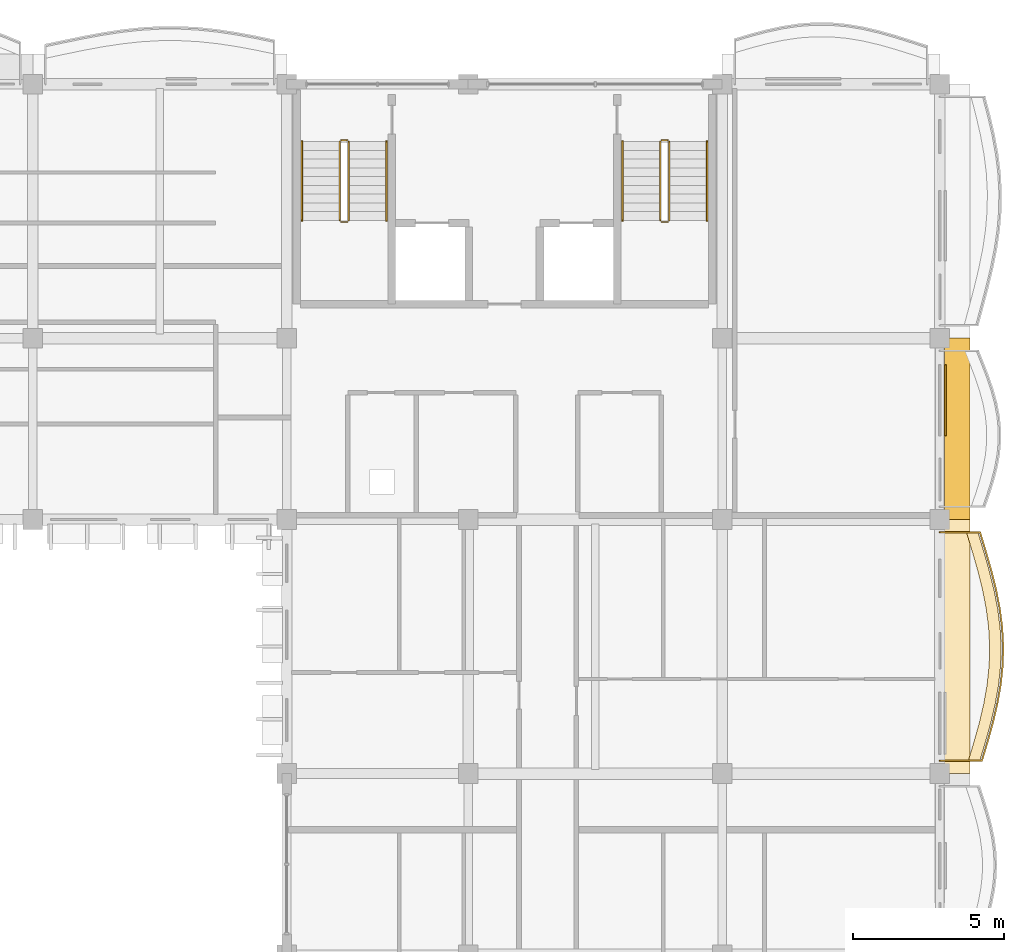
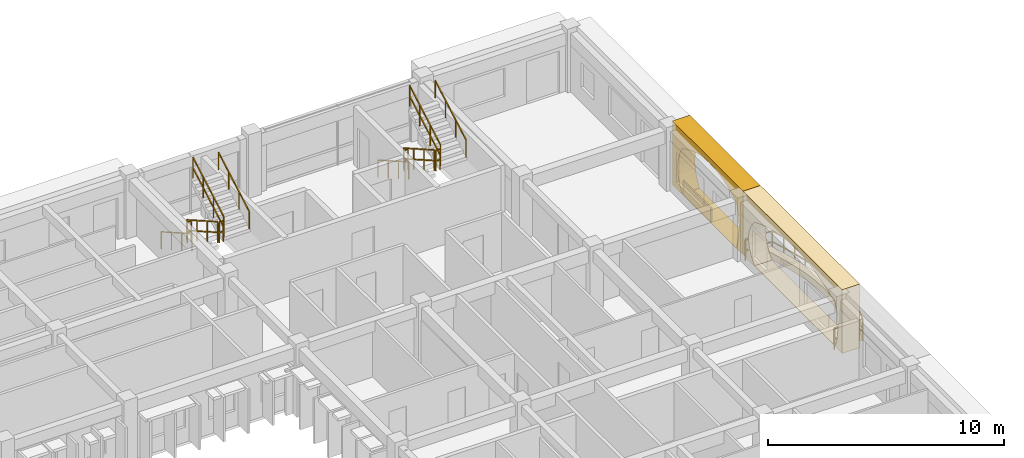
# One storey, part 74 of 76: 13 railings, 4 coverings.
"""IFC4 building model written with IfcOpenShell, lengths in metres."""

from ifc_helpers import new_model, si_unit, direction, frame, origin, origin_2d, place, context, subcontext, project, spatial, polyline, rectangle, outline, extrude, material, layer, layer_set, type_object, element, save


model = new_model("IFC4")

# Units and contexts
model_context = context("Model", 3, precision=1e-05, world=origin(), true_north=direction((0.0, 1.0)))
body_context = subcontext(model_context, "Body", "Model", "MODEL_VIEW")
ifc_project = project(units=[si_unit("LENGTHUNIT", "METRE"), si_unit("AREAUNIT", "SQUARE_METRE"), si_unit("VOLUMEUNIT", "CUBIC_METRE"), si_unit("PLANEANGLEUNIT", "RADIAN"), si_unit("MASSUNIT", "GRAM", prefix="KILO"), si_unit("THERMODYNAMICTEMPERATUREUNIT", "KELVIN")], contexts=[model_context])

# Site, building, storey
site_placement = place(None, origin())
site = spatial("IfcSite", under=ifc_project, at=site_placement, CompositionType="ELEMENT")
building_placement = place(site_placement, origin())
building = spatial("IfcBuilding", under=site, at=building_placement, Name="Thalorik Housing Commons", CompositionType="ELEMENT")
storey_placement = place(building_placement, frame((0.0, 0.0, 18.0)))
storey = spatial("IfcBuildingStorey", under=building, at=storey_placement, Name="L05", CompositionType="ELEMENT", Elevation=18.0)

# Coverings
ifc_material_1 = material(Name="Cobalt blue glazed ceramic facade tile panel", Category="masonry")
ifc_layer_1 = layer(ifc_material_1, 0.06005859375, Name="Cobalt blue glazed ceramic facade tile panel", Category="masonry")
ifc_layer_set_1 = layer_set([ifc_layer_1], Name="Cobalt blue glazed ceramic facade tile panel")
covering_type_1 = type_object("IfcCoveringType", Name="ARC-CLD-BLU-60", PredefinedType="CLADDING", material=ifc_layer_set_1)
covering_1_placement = place(storey_placement, frame((174.179931640625, 113.139892578125, 0.0498046875), z_axis=(0.0, 0.0, 1.0), x_axis=(0.0, 1.0, 0.0)))
element("IfcCovering", 1, at=covering_1_placement, inside=storey, type_object=covering_type_1, Name="L05 De Stijl Recessed Window Spandrel 2203", PredefinedType="CLADDING", context=body_context, shape_type="SweptSolid", body=[
    extrude(rectangle(XDim=2.35009765625, YDim=0.06005859375, at=origin_2d()), origin(), (0.0, 0.0, 1.0), 0.699951171875),
])
ifc_material_2 = material(Name="Precast concrete C40/50", Category="concrete")
ifc_layer_2 = layer(ifc_material_2, 0.85009765625, Name="Precast concrete C40/50", Category="concrete")
ifc_layer_set_2 = layer_set([ifc_layer_2], Name="Precast concrete C40/50")
covering_type_2 = type_object("IfcCoveringType", Name="ARC-CLD-CUSH-850", PredefinedType="CLADDING", material=ifc_layer_set_2)
covering_2_placement = place(storey_placement, frame((174.570068359375, 112.199951171875, 0.0), z_axis=(0.0, 0.0, 1.0), x_axis=(0.0, 1.0, 0.0)))
element("IfcCovering", 2, at=covering_2_placement, inside=storey, type_object=covering_type_2, Name="L05 White Precast Curved Cushion Bay Frame 2202", PredefinedType="CLADDING", context=body_context, shape_type="SweptSolid", body=[
    extrude(outline(polyline([(-3.0, 0.0), (3.0, 0.0), (3.0, 3.300048828125), (-3.0, 3.300048828125), (-3.0, 0.0)]), holes=[polyline([(2.1650390625, 0.02490234375), (2.37890625, 0.415771484375), (2.507080078125, 0.806640625), (2.550048828125, 1.197509765625), (2.507080078125, 1.58837890625), (2.37890625, 1.979248046875), (2.1650390625, 2.3701171875), (1.781982421875, 2.573974609375), (1.399169921875, 2.734130859375), (1.016357421875, 2.864013671875), (0.63330078125, 2.960205078125), (0.25048828125, 3.02001953125), (-0.132568359375, 3.0400390625), (-0.515380859375, 3.02001953125), (-0.898193359375, 2.960205078125), (-1.28125, 2.864013671875), (-1.664306640625, 2.734130859375), (-2.047119140625, 2.573974609375), (-2.429931640625, 2.3701171875), (-2.55029296875, 1.979248046875), (-2.62255859375, 1.58837890625), (-2.646484375, 1.197509765625), (-2.62255859375, 0.806640625), (-2.55029296875, 0.415771484375), (-2.429931640625, 0.02490234375), (2.1650390625, 0.02490234375)])]), frame((0.0, 0.425048828125, 0.0), z_axis=(0.0, -1.0, 0.0), x_axis=(1.0, 0.0, 0.0)), (0.0, 0.0, 1.0), 0.85009765625),
])
covering_3_placement = place(storey_placement, frame((174.570068359375, 105.0, 0.0), z_axis=(0.0, 0.0, 1.0), x_axis=(0.0, 1.0, 0.0)))
element("IfcCovering", 3, at=covering_3_placement, inside=storey, type_object=covering_type_2, Name="L05 White Precast Curved Cushion Bay Frame 2360", PredefinedType="CLADDING", context=body_context, shape_type="SweptSolid", body=[
    extrude(outline(polyline([(-4.199951171875, 0.0), (4.199951171875, 0.0), (4.199951171875, 3.300048828125), (-4.199951171875, 3.300048828125), (-4.199951171875, 0.0)]), holes=[polyline([(3.239990234375, 0.02490234375), (3.523193359375, 0.40087890625), (3.693359375, 0.776611328125), (3.75, 1.152587890625), (3.693359375, 1.5283203125), (3.523193359375, 1.904296875), (3.239990234375, 2.280029296875), (2.669189453125, 2.51123046875), (2.098388671875, 2.693115234375), (1.52783203125, 2.840087890625), (0.95703125, 2.94970703125), (0.38623046875, 3.01708984375), (-0.1845703125, 3.0400390625), (-0.75537109375, 3.01708984375), (-1.325927734375, 2.94970703125), (-1.896728515625, 2.840087890625), (-2.467529296875, 2.693115234375), (-3.0380859375, 2.51123046875), (-3.60888671875, 2.280029296875), (-3.73388671875, 1.904296875), (-3.80859375, 1.5283203125), (-3.83349609375, 1.152587890625), (-3.80859375, 0.776611328125), (-3.73388671875, 0.40087890625), (-3.60888671875, 0.02490234375), (3.239990234375, 0.02490234375)])]), frame((0.0, 0.425048828125, 0.0), z_axis=(0.0, -1.0, 0.0), x_axis=(1.0, 0.0, 0.0)), (0.0, 0.0, 1.0), 0.85009765625),
])
ifc_material_3 = material(Name="Planted vegetated substrate and terracotta trough", Category="masonry")
ifc_layer_3 = layer(ifc_material_3, 0.340087890625, Name="Planted vegetated substrate and terracotta trough", Category="masonry")
ifc_layer_set_3 = layer_set([ifc_layer_3], Name="Planted vegetated substrate and terracotta trough")
covering_type_3 = type_object("IfcCoveringType", Name="ARC-COV-PLANTER", PredefinedType="USERDEFINED", material=ifc_layer_set_3)
covering_4_placement = place(storey_placement, origin())
element("IfcCovering", 4, at=covering_4_placement, inside=storey, type_object=covering_type_3, Name="L05 Balcony Slab-Edge Planted Trough 5484", ObjectType="PLANTER", PredefinedType="USERDEFINED", context=body_context, shape_type="SweptSolid", body=[
    extrude(outline(polyline([(175.32080078125, 101.219970703125), (175.510009765625, 101.85009765625), (175.6845703125, 102.47998046875), (175.83251953125, 103.110107421875), (175.943115234375, 103.739990234375), (176.009033203125, 104.3701171875), (176.02587890625, 105.0), (175.992431640625, 105.6298828125), (175.910888671875, 106.260009765625), (175.787109375, 106.889892578125), (175.629638671875, 107.52001953125), (175.44970703125, 108.14990234375), (175.25927734375, 108.780029296875), (174.87939453125, 108.780029296875), (175.069580078125, 108.14990234375), (175.249755859375, 107.52001953125), (175.4072265625, 106.889892578125), (175.531005859375, 106.260009765625), (175.6123046875, 105.6298828125), (175.64599609375, 105.0), (175.629150390625, 104.3701171875), (175.56298828125, 103.739990234375), (175.452392578125, 103.110107421875), (175.3046875, 102.47998046875), (175.1298828125, 101.85009765625), (174.940673828125, 101.219970703125), (175.32080078125, 101.219970703125)])), origin(), (0.0, 0.0, 1.0), 0.340087890625),
])

# Railings
ifc_material_4 = material(Name="Steel S355", Category="steel")
railing_type_1 = type_object("IfcRailingType", Name="ARC-RL-BAL-112", PredefinedType="BALUSTRADE", material=ifc_material_4)
railing_1_placement = place(storey_placement, frame((174.0, 101.219970703125, 0.0)))
element("IfcRailing", 5, at=railing_1_placement, inside=storey, type_object=railing_type_1, Name="L05 Cushion Balcony Guardrail 168", PredefinedType="BALUSTRADE", context=body_context, shape_type="SweptSolid", body=[
    extrude(rectangle(XDim=0.050048828125, YDim=0.050048828125, at=origin_2d()), frame((0.0, 0.0, 1.09521484375), z_axis=(1.0, 0.0, 0.0), x_axis=(0.0, 1.0, 0.0)), (0.0, 0.0, 1.0), 1.390625),
    extrude(rectangle(XDim=0.050048828125, YDim=0.050048828125, at=origin_2d()), frame((0.0, 0.0, 0.53515625), z_axis=(1.0, 0.0, 0.0), x_axis=(0.0, 1.0, 0.0)), (0.0, 0.0, 1.0), 1.390625),
    extrude(rectangle(XDim=0.050048828125, YDim=0.050048828125, at=origin_2d()), frame((1.390625, 0.0, 1.09521484375), z_axis=(0.287926518313, 0.957652504853, 0.0), x_axis=(-0.957652504853, 0.287926518313, 0.0)), (0.0, 0.0, 1.0), 0.657958984375),
    extrude(rectangle(XDim=0.050048828125, YDim=0.050048828125, at=origin_2d()), frame((1.390625, 0.0, 0.53515625), z_axis=(0.287926518313, 0.957652504853, 0.0), x_axis=(-0.957652504853, 0.287926518313, 0.0)), (0.0, 0.0, 1.0), 0.657958984375),
    extrude(rectangle(XDim=0.050048828125, YDim=0.050048828125, at=origin_2d()), frame((1.580078125, 0.630126953125, 1.09521484375), z_axis=(0.267065878379, 0.963678274429, 0.0), x_axis=(-0.963678274429, 0.267065878379, 0.0)), (0.0, 0.0, 1.0), 0.653564453125),
    extrude(rectangle(XDim=0.050048828125, YDim=0.050048828125, at=origin_2d()), frame((1.580078125, 0.630126953125, 0.53515625), z_axis=(0.267065878379, 0.963678274429, 0.0), x_axis=(-0.963678274429, 0.267065878379, 0.0)), (0.0, 0.0, 1.0), 0.653564453125),
    extrude(rectangle(XDim=0.050048828125, YDim=0.050048828125, at=origin_2d()), frame((1.754638671875, 1.260009765625, 1.09521484375), z_axis=(0.228219258593, 0.973609762691, 0.0), x_axis=(-0.973609762691, 0.228219258593, 0.0)), (0.0, 0.0, 1.0), 0.647216796875),
    extrude(rectangle(XDim=0.050048828125, YDim=0.050048828125, at=origin_2d()), frame((1.754638671875, 1.260009765625, 0.53515625), z_axis=(0.228219258593, 0.973609762691, 0.0), x_axis=(-0.973609762691, 0.228219258593, 0.0)), (0.0, 0.0, 1.0), 0.647216796875),
    extrude(rectangle(XDim=0.050048828125, YDim=0.050048828125, at=origin_2d()), frame((1.90234375, 1.89013671875, 1.09521484375), z_axis=(0.173306227153, 0.984867986905, 0.0), x_axis=(-0.984867986905, 0.173306227153, 0.0)), (0.0, 0.0, 1.0), 0.6396484375),
    extrude(rectangle(XDim=0.050048828125, YDim=0.050048828125, at=origin_2d()), frame((1.90234375, 1.89013671875, 0.53515625), z_axis=(0.173306227153, 0.984867986905, 0.0), x_axis=(-0.984867986905, 0.173306227153, 0.0)), (0.0, 0.0, 1.0), 0.6396484375),
    extrude(rectangle(XDim=0.050048828125, YDim=0.050048828125, at=origin_2d()), frame((2.01318359375, 2.52001953125, 1.09521484375), z_axis=(0.104042874658, 0.994572812937, 0.0), x_axis=(-0.994572812937, 0.104042874658, 0.0)), (0.0, 0.0, 1.0), 0.633544921875),
    extrude(rectangle(XDim=0.050048828125, YDim=0.050048828125, at=origin_2d()), frame((2.01318359375, 2.52001953125, 0.53515625), z_axis=(0.104042874658, 0.994572812937, 0.0), x_axis=(-0.994572812937, 0.104042874658, 0.0)), (0.0, 0.0, 1.0), 0.633544921875),
    extrude(rectangle(XDim=0.050048828125, YDim=0.050048828125, at=origin_2d()), frame((2.0791015625, 3.150146484375, 1.09521484375), z_axis=(0.026734626765, 0.999642565986, 0.0), x_axis=(-0.999642565986, 0.026734626765, 0.0)), (0.0, 0.0, 1.0), 0.630126953125),
    extrude(rectangle(XDim=0.050048828125, YDim=0.050048828125, at=origin_2d()), frame((2.0791015625, 3.150146484375, 0.53515625), z_axis=(0.026734626765, 0.999642565986, 0.0), x_axis=(-0.999642565986, 0.026734626765, 0.0)), (0.0, 0.0, 1.0), 0.630126953125),
    extrude(rectangle(XDim=0.050048828125, YDim=0.050048828125, at=origin_2d()), frame((2.095947265625, 3.780029296875, 1.09521484375), z_axis=(-0.053026069218, 0.998593128348, 0.0), x_axis=(-0.998593128348, -0.053026069218, 0.0)), (0.0, 0.0, 1.0), 0.630859375),
    extrude(rectangle(XDim=0.050048828125, YDim=0.050048828125, at=origin_2d()), frame((2.095947265625, 3.780029296875, 0.53515625), z_axis=(-0.053026069218, 0.998593128348, 0.0), x_axis=(-0.998593128348, -0.053026069218, 0.0)), (0.0, 0.0, 1.0), 0.630859375),
    extrude(rectangle(XDim=0.050048828125, YDim=0.050048828125, at=origin_2d()), frame((2.0625, 4.409912109375, 1.09521484375), z_axis=(-0.128337087148, 0.991730604581, 0.0), x_axis=(-0.991730604581, -0.128337087148, 0.0)), (0.0, 0.0, 1.0), 0.635498046875),
    extrude(rectangle(XDim=0.050048828125, YDim=0.050048828125, at=origin_2d()), frame((2.0625, 4.409912109375, 0.53515625), z_axis=(-0.128337087148, 0.991730604581, 0.0), x_axis=(-0.991730604581, -0.128337087148, 0.0)), (0.0, 0.0, 1.0), 0.635498046875),
    extrude(rectangle(XDim=0.050048828125, YDim=0.050048828125, at=origin_2d()), frame((1.98095703125, 5.0400390625, 1.09521484375), z_axis=(-0.192823773501, 0.981233403616, 0.0), x_axis=(-0.981233403616, -0.192823773501, 0.0)), (0.0, 0.0, 1.0), 0.641845703125),
    extrude(rectangle(XDim=0.050048828125, YDim=0.050048828125, at=origin_2d()), frame((1.98095703125, 5.0400390625, 0.53515625), z_axis=(-0.192823773501, 0.981233403616, 0.0), x_axis=(-0.981233403616, -0.192823773501, 0.0)), (0.0, 0.0, 1.0), 0.641845703125),
    extrude(rectangle(XDim=0.050048828125, YDim=0.050048828125, at=origin_2d()), frame((1.857177734375, 5.669921875, 1.09521484375), z_axis=(-0.242447180005, 0.97016460712, 0.0), x_axis=(-0.97016460712, -0.242447180005, 0.0)), (0.0, 0.0, 1.0), 0.6494140625),
    extrude(rectangle(XDim=0.050048828125, YDim=0.050048828125, at=origin_2d()), frame((1.857177734375, 5.669921875, 0.53515625), z_axis=(-0.242447180005, 0.97016460712, 0.0), x_axis=(-0.97016460712, -0.242447180005, 0.0)), (0.0, 0.0, 1.0), 0.6494140625),
    extrude(rectangle(XDim=0.050048828125, YDim=0.050048828125, at=origin_2d()), frame((1.69970703125, 6.300048828125, 1.09521484375), z_axis=(-0.275016423265, 0.961439528486, 0.0), x_axis=(-0.961439528486, -0.275016423265, 0.0)), (0.0, 0.0, 1.0), 0.655029296875),
    extrude(rectangle(XDim=0.050048828125, YDim=0.050048828125, at=origin_2d()), frame((1.69970703125, 6.300048828125, 0.53515625), z_axis=(-0.275016423265, 0.961439528486, 0.0), x_axis=(-0.961439528486, -0.275016423265, 0.0)), (0.0, 0.0, 1.0), 0.655029296875),
    extrude(rectangle(XDim=0.050048828125, YDim=0.050048828125, at=origin_2d()), frame((1.51953125, 6.929931640625, 1.09521484375), z_axis=(-0.288946865814, 0.957345135642, 0.0), x_axis=(-0.957345135642, -0.288946865814, 0.0)), (0.0, 0.0, 1.0), 0.658203125),
    extrude(rectangle(XDim=0.050048828125, YDim=0.050048828125, at=origin_2d()), frame((1.51953125, 6.929931640625, 0.53515625), z_axis=(-0.288946865814, 0.957345135642, 0.0), x_axis=(-0.957345135642, -0.288946865814, 0.0)), (0.0, 0.0, 1.0), 0.658203125),
    extrude(rectangle(XDim=0.050048828125, YDim=0.050048828125, at=origin_2d()), frame((1.329345703125, 7.56005859375, 1.09521484375), z_axis=(-1.0, 0.0, 0.0), x_axis=(0.0, -1.0, 0.0)), (0.0, 0.0, 1.0), 1.329345703125),
    extrude(rectangle(XDim=0.050048828125, YDim=0.050048828125, at=origin_2d()), frame((1.329345703125, 7.56005859375, 0.53515625), z_axis=(-1.0, 0.0, 0.0), x_axis=(0.0, -1.0, 0.0)), (0.0, 0.0, 1.0), 1.329345703125),
    extrude(rectangle(XDim=0.0419921875, YDim=0.0419921875, at=origin_2d()), origin(), (0.0, 0.0, 1.0), 1.070068359375),
    extrude(rectangle(XDim=0.0419921875, YDim=0.0419921875, at=origin_2d()), frame((1.390625, 0.0, 0.0)), (0.0, 0.0, 1.0), 1.070068359375),
    extrude(rectangle(XDim=0.0419921875, YDim=0.0419921875, at=origin_2d()), frame((1.580078125, 0.630126953125, 0.0)), (0.0, 0.0, 1.0), 1.070068359375),
    extrude(rectangle(XDim=0.0419921875, YDim=0.0419921875, at=origin_2d()), frame((1.754638671875, 1.260009765625, 0.0)), (0.0, 0.0, 1.0), 1.070068359375),
    extrude(rectangle(XDim=0.0419921875, YDim=0.0419921875, at=origin_2d()), frame((1.90234375, 1.89013671875, 0.0)), (0.0, 0.0, 1.0), 1.070068359375),
    extrude(rectangle(XDim=0.0419921875, YDim=0.0419921875, at=origin_2d()), frame((2.01318359375, 2.52001953125, 0.0)), (0.0, 0.0, 1.0), 1.070068359375),
    extrude(rectangle(XDim=0.0419921875, YDim=0.0419921875, at=origin_2d()), frame((2.0791015625, 3.150146484375, 0.0)), (0.0, 0.0, 1.0), 1.070068359375),
    extrude(rectangle(XDim=0.0419921875, YDim=0.0419921875, at=origin_2d()), frame((2.095947265625, 3.780029296875, 0.0)), (0.0, 0.0, 1.0), 1.070068359375),
    extrude(rectangle(XDim=0.0419921875, YDim=0.0419921875, at=origin_2d()), frame((2.0625, 4.409912109375, 0.0)), (0.0, 0.0, 1.0), 1.070068359375),
    extrude(rectangle(XDim=0.0419921875, YDim=0.0419921875, at=origin_2d()), frame((1.98095703125, 5.0400390625, 0.0)), (0.0, 0.0, 1.0), 1.070068359375),
    extrude(rectangle(XDim=0.0419921875, YDim=0.0419921875, at=origin_2d()), frame((1.857177734375, 5.669921875, 0.0)), (0.0, 0.0, 1.0), 1.070068359375),
    extrude(rectangle(XDim=0.0419921875, YDim=0.0419921875, at=origin_2d()), frame((1.69970703125, 6.300048828125, 0.0)), (0.0, 0.0, 1.0), 1.070068359375),
    extrude(rectangle(XDim=0.0419921875, YDim=0.0419921875, at=origin_2d()), frame((1.51953125, 6.929931640625, 0.0)), (0.0, 0.0, 1.0), 1.070068359375),
    extrude(rectangle(XDim=0.0419921875, YDim=0.0419921875, at=origin_2d()), frame((1.329345703125, 7.56005859375, 0.0)), (0.0, 0.0, 1.0), 1.070068359375),
    extrude(rectangle(XDim=0.0419921875, YDim=0.0419921875, at=origin_2d()), frame((0.0, 7.56005859375, 0.0)), (0.0, 0.0, 1.0), 1.070068359375),
])
railing_type_2 = type_object("IfcRailingType", Name="ARC-RL-STR-GRD110", PredefinedType="GUARDRAIL", material=ifc_material_4)
railing_2_placement = place(storey_placement, frame((154.14990234375, 121.699951171875, 0.1650390625)))
element("IfcRailing", 6, at=railing_2_placement, inside=storey, type_object=railing_type_2, Name="L05 ST-B1 stair guard 1", PredefinedType="GUARDRAIL", context=body_context, shape_type="SweptSolid", body=[
    extrude(rectangle(XDim=0.048095703125, YDim=0.048095703125, at=origin_2d()), frame((0.0, 0.0, 1.076171875), z_axis=(0.0, -0.869172267526, 0.494509422927), x_axis=(1.0, 0.0, 0.0)), (0.0, 0.0, 1.0), 3.002685546875),
    extrude(rectangle(XDim=0.048095703125, YDim=0.048095703125, at=origin_2d()), frame((0.0, 0.0, 0.52587890625), z_axis=(0.0, -0.869172267526, 0.494509422927), x_axis=(1.0, 0.0, 0.0)), (0.0, 0.0, 1.0), 3.002685546875),
    extrude(rectangle(XDim=0.0419921875, YDim=0.0419921875, at=origin_2d()), origin(), (0.0, 0.0, 1.0), 1.052001953125),
    extrude(rectangle(XDim=0.0419921875, YDim=0.0419921875, at=origin_2d()), frame((0.0, -0.869873046875, 0.494873046875)), (0.0, 0.0, 1.0), 1.052001953125),
    extrude(rectangle(XDim=0.0419921875, YDim=0.0419921875, at=origin_2d()), frame((0.0, -1.739990234375, 0.989990234375)), (0.0, 0.0, 1.0), 1.052001953125),
    extrude(rectangle(XDim=0.0419921875, YDim=0.0419921875, at=origin_2d()), frame((0.0, -2.60986328125, 1.48486328125)), (0.0, 0.0, 1.0), 1.052001953125),
])
railing_3_placement = place(storey_placement, frame((154.199951171875, 119.0400390625, 1.64990234375)))
element("IfcRailing", 7, at=railing_3_placement, inside=storey, type_object=railing_type_2, Name="L05 ST-B1 stair guard 2", PredefinedType="GUARDRAIL", context=body_context, shape_type="SweptSolid", body=[
    extrude(rectangle(XDim=0.048095703125, YDim=0.048095703125, at=origin_2d()), frame((0.0, 0.0, 1.076171875), z_axis=(1.0, 0.0, 0.0), x_axis=(0.0, 1.0, 0.0)), (0.0, 0.0, 1.0), 0.199951171875),
    extrude(rectangle(XDim=0.048095703125, YDim=0.048095703125, at=origin_2d()), frame((0.0, 0.0, 0.52587890625), z_axis=(1.0, 0.0, 0.0), x_axis=(0.0, 1.0, 0.0)), (0.0, 0.0, 1.0), 0.199951171875),
    extrude(rectangle(XDim=0.0419921875, YDim=0.0419921875, at=origin_2d()), origin(), (0.0, 0.0, 1.0), 1.052001953125),
    extrude(rectangle(XDim=0.0419921875, YDim=0.0419921875, at=origin_2d()), frame((0.199951171875, 0.0, 0.0)), (0.0, 0.0, 1.0), 1.052001953125),
])
railing_4_placement = place(storey_placement, frame((154.449951171875, 119.090087890625, 1.81494140625)))
element("IfcRailing", 8, at=railing_4_placement, inside=storey, type_object=railing_type_2, Name="L05 ST-B1 stair guard 3", PredefinedType="GUARDRAIL", context=body_context, shape_type="SweptSolid", body=[
    extrude(rectangle(XDim=0.048095703125, YDim=0.048095703125, at=origin_2d()), frame((0.0, 0.0, 1.076171875), z_axis=(0.0, 0.869137319866, 0.494570843475), x_axis=(-1.0, 0.0, 0.0)), (0.0, 0.0, 1.0), 3.0029296875),
    extrude(rectangle(XDim=0.048095703125, YDim=0.048095703125, at=origin_2d()), frame((0.0, 0.0, 0.52587890625), z_axis=(0.0, 0.869137319866, 0.494570843475), x_axis=(-1.0, 0.0, 0.0)), (0.0, 0.0, 1.0), 3.0029296875),
    extrude(rectangle(XDim=0.0419921875, YDim=0.0419921875, at=origin_2d()), origin(), (0.0, 0.0, 1.0), 1.052001953125),
    extrude(rectangle(XDim=0.0419921875, YDim=0.0419921875, at=origin_2d()), frame((0.0, 0.869873046875, 0.4951171875)), (0.0, 0.0, 1.0), 1.052001953125),
    extrude(rectangle(XDim=0.0419921875, YDim=0.0419921875, at=origin_2d()), frame((0.0, 1.739990234375, 0.989990234375)), (0.0, 0.0, 1.0), 1.052001953125),
    extrude(rectangle(XDim=0.0419921875, YDim=0.0419921875, at=origin_2d()), frame((0.0, 2.60986328125, 1.485107421875)), (0.0, 0.0, 1.0), 1.052001953125),
])
railing_5_placement = place(storey_placement, frame((154.199951171875, 121.75, 0.0)))
element("IfcRailing", 9, at=railing_5_placement, inside=storey, type_object=railing_type_2, Name="L05 ST-B1 stair guard 4", PredefinedType="GUARDRAIL", context=body_context, shape_type="SweptSolid", body=[
    extrude(rectangle(XDim=0.048095703125, YDim=0.048095703125, at=origin_2d()), frame((0.0, 0.0, 1.076171875), z_axis=(1.0, 0.0, 0.0), x_axis=(0.0, 1.0, 0.0)), (0.0, 0.0, 1.0), 0.199951171875),
    extrude(rectangle(XDim=0.048095703125, YDim=0.048095703125, at=origin_2d()), frame((0.0, 0.0, 0.52587890625), z_axis=(1.0, 0.0, 0.0), x_axis=(0.0, 1.0, 0.0)), (0.0, 0.0, 1.0), 0.199951171875),
    extrude(rectangle(XDim=0.0419921875, YDim=0.0419921875, at=origin_2d()), origin(), (0.0, 0.0, 1.0), 1.052001953125),
    extrude(rectangle(XDim=0.0419921875, YDim=0.0419921875, at=origin_2d()), frame((0.199951171875, 0.0, 0.0)), (0.0, 0.0, 1.0), 1.052001953125),
])
railing_6_placement = place(storey_placement, frame((164.75, 121.699951171875, 0.1650390625)))
element("IfcRailing", 10, at=railing_6_placement, inside=storey, type_object=railing_type_2, Name="L05 ST-B2 stair guard 1", PredefinedType="GUARDRAIL", context=body_context, shape_type="SweptSolid", body=[
    extrude(rectangle(XDim=0.048095703125, YDim=0.048095703125, at=origin_2d()), frame((0.0, 0.0, 1.076171875), z_axis=(0.0, -0.869172267526, 0.494509422927), x_axis=(1.0, 0.0, 0.0)), (0.0, 0.0, 1.0), 3.002685546875),
    extrude(rectangle(XDim=0.048095703125, YDim=0.048095703125, at=origin_2d()), frame((0.0, 0.0, 0.52587890625), z_axis=(0.0, -0.869172267526, 0.494509422927), x_axis=(1.0, 0.0, 0.0)), (0.0, 0.0, 1.0), 3.002685546875),
    extrude(rectangle(XDim=0.0419921875, YDim=0.0419921875, at=origin_2d()), origin(), (0.0, 0.0, 1.0), 1.052001953125),
    extrude(rectangle(XDim=0.0419921875, YDim=0.0419921875, at=origin_2d()), frame((0.0, -0.869873046875, 0.494873046875)), (0.0, 0.0, 1.0), 1.052001953125),
    extrude(rectangle(XDim=0.0419921875, YDim=0.0419921875, at=origin_2d()), frame((0.0, -1.739990234375, 0.989990234375)), (0.0, 0.0, 1.0), 1.052001953125),
    extrude(rectangle(XDim=0.0419921875, YDim=0.0419921875, at=origin_2d()), frame((0.0, -2.60986328125, 1.48486328125)), (0.0, 0.0, 1.0), 1.052001953125),
])
railing_7_placement = place(storey_placement, frame((164.800048828125, 119.0400390625, 1.64990234375)))
element("IfcRailing", 11, at=railing_7_placement, inside=storey, type_object=railing_type_2, Name="L05 ST-B2 stair guard 2", PredefinedType="GUARDRAIL", context=body_context, shape_type="SweptSolid", body=[
    extrude(rectangle(XDim=0.048095703125, YDim=0.048095703125, at=origin_2d()), frame((0.0, 0.0, 1.076171875), z_axis=(1.0, 0.0, 0.0), x_axis=(0.0, 1.0, 0.0)), (0.0, 0.0, 1.0), 0.199951171875),
    extrude(rectangle(XDim=0.048095703125, YDim=0.048095703125, at=origin_2d()), frame((0.0, 0.0, 0.52587890625), z_axis=(1.0, 0.0, 0.0), x_axis=(0.0, 1.0, 0.0)), (0.0, 0.0, 1.0), 0.199951171875),
    extrude(rectangle(XDim=0.0419921875, YDim=0.0419921875, at=origin_2d()), origin(), (0.0, 0.0, 1.0), 1.052001953125),
    extrude(rectangle(XDim=0.0419921875, YDim=0.0419921875, at=origin_2d()), frame((0.199951171875, 0.0, 0.0)), (0.0, 0.0, 1.0), 1.052001953125),
])
railing_8_placement = place(storey_placement, frame((165.050048828125, 119.090087890625, 1.81494140625)))
element("IfcRailing", 12, at=railing_8_placement, inside=storey, type_object=railing_type_2, Name="L05 ST-B2 stair guard 3", PredefinedType="GUARDRAIL", context=body_context, shape_type="SweptSolid", body=[
    extrude(rectangle(XDim=0.048095703125, YDim=0.048095703125, at=origin_2d()), frame((0.0, 0.0, 1.076171875), z_axis=(0.0, 0.869137319866, 0.494570843475), x_axis=(-1.0, 0.0, 0.0)), (0.0, 0.0, 1.0), 3.0029296875),
    extrude(rectangle(XDim=0.048095703125, YDim=0.048095703125, at=origin_2d()), frame((0.0, 0.0, 0.52587890625), z_axis=(0.0, 0.869137319866, 0.494570843475), x_axis=(-1.0, 0.0, 0.0)), (0.0, 0.0, 1.0), 3.0029296875),
    extrude(rectangle(XDim=0.0419921875, YDim=0.0419921875, at=origin_2d()), origin(), (0.0, 0.0, 1.0), 1.052001953125),
    extrude(rectangle(XDim=0.0419921875, YDim=0.0419921875, at=origin_2d()), frame((0.0, 0.869873046875, 0.4951171875)), (0.0, 0.0, 1.0), 1.052001953125),
    extrude(rectangle(XDim=0.0419921875, YDim=0.0419921875, at=origin_2d()), frame((0.0, 1.739990234375, 0.989990234375)), (0.0, 0.0, 1.0), 1.052001953125),
    extrude(rectangle(XDim=0.0419921875, YDim=0.0419921875, at=origin_2d()), frame((0.0, 2.60986328125, 1.485107421875)), (0.0, 0.0, 1.0), 1.052001953125),
])
railing_9_placement = place(storey_placement, frame((164.800048828125, 121.75, 0.0)))
element("IfcRailing", 13, at=railing_9_placement, inside=storey, type_object=railing_type_2, Name="L05 ST-B2 stair guard 4", PredefinedType="GUARDRAIL", context=body_context, shape_type="SweptSolid", body=[
    extrude(rectangle(XDim=0.048095703125, YDim=0.048095703125, at=origin_2d()), frame((0.0, 0.0, 1.076171875), z_axis=(1.0, 0.0, 0.0), x_axis=(0.0, 1.0, 0.0)), (0.0, 0.0, 1.0), 0.199951171875),
    extrude(rectangle(XDim=0.048095703125, YDim=0.048095703125, at=origin_2d()), frame((0.0, 0.0, 0.52587890625), z_axis=(1.0, 0.0, 0.0), x_axis=(0.0, 1.0, 0.0)), (0.0, 0.0, 1.0), 0.199951171875),
    extrude(rectangle(XDim=0.0419921875, YDim=0.0419921875, at=origin_2d()), origin(), (0.0, 0.0, 1.0), 1.052001953125),
    extrude(rectangle(XDim=0.0419921875, YDim=0.0419921875, at=origin_2d()), frame((0.199951171875, 0.0, 0.0)), (0.0, 0.0, 1.0), 1.052001953125),
])
railing_type_3 = type_object("IfcRailingType", Name="ARC-RL-STR-HR092", PredefinedType="HANDRAIL", material=ifc_material_4)
railing_10_placement = place(storey_placement, frame((152.89990234375, 121.699951171875, 0.1650390625)))
element("IfcRailing", 14, at=railing_10_placement, inside=storey, type_object=railing_type_3, Name="L05 ST-B1 stair handrail 1", PredefinedType="HANDRAIL", context=body_context, shape_type="SweptSolid", body=[
    extrude(rectangle(XDim=0.048095703125, YDim=0.048095703125, at=origin_2d()), frame((0.0, 0.0, 0.89599609375), z_axis=(0.0, -0.869172267526, 0.494509422927), x_axis=(1.0, 0.0, 0.0)), (0.0, 0.0, 1.0), 3.002685546875),
    extrude(rectangle(XDim=0.0419921875, YDim=0.0419921875, at=origin_2d()), origin(), (0.0, 0.0, 1.0), 0.871826171875),
    extrude(rectangle(XDim=0.0419921875, YDim=0.0419921875, at=origin_2d()), frame((0.0, -0.869873046875, 0.494873046875)), (0.0, 0.0, 1.0), 0.871826171875),
    extrude(rectangle(XDim=0.0419921875, YDim=0.0419921875, at=origin_2d()), frame((0.0, -1.739990234375, 0.989990234375)), (0.0, 0.0, 1.0), 0.871826171875),
    extrude(rectangle(XDim=0.0419921875, YDim=0.0419921875, at=origin_2d()), frame((0.0, -2.60986328125, 1.48486328125)), (0.0, 0.0, 1.0), 0.871826171875),
])
railing_11_placement = place(storey_placement, frame((155.699951171875, 119.090087890625, 1.81494140625)))
element("IfcRailing", 15, at=railing_11_placement, inside=storey, type_object=railing_type_3, Name="L05 ST-B1 stair handrail 2", PredefinedType="HANDRAIL", context=body_context, shape_type="SweptSolid", body=[
    extrude(rectangle(XDim=0.048095703125, YDim=0.048095703125, at=origin_2d()), frame((0.0, 0.0, 0.89599609375), z_axis=(0.0, 0.869137319866, 0.494570843475), x_axis=(-1.0, 0.0, 0.0)), (0.0, 0.0, 1.0), 3.0029296875),
    extrude(rectangle(XDim=0.0419921875, YDim=0.0419921875, at=origin_2d()), origin(), (0.0, 0.0, 1.0), 0.871826171875),
    extrude(rectangle(XDim=0.0419921875, YDim=0.0419921875, at=origin_2d()), frame((0.0, 0.869873046875, 0.4951171875)), (0.0, 0.0, 1.0), 0.871826171875),
    extrude(rectangle(XDim=0.0419921875, YDim=0.0419921875, at=origin_2d()), frame((0.0, 1.739990234375, 0.989990234375)), (0.0, 0.0, 1.0), 0.871826171875),
    extrude(rectangle(XDim=0.0419921875, YDim=0.0419921875, at=origin_2d()), frame((0.0, 2.60986328125, 1.485107421875)), (0.0, 0.0, 1.0), 0.871826171875),
])
railing_12_placement = place(storey_placement, frame((163.5, 121.699951171875, 0.1650390625)))
element("IfcRailing", 16, at=railing_12_placement, inside=storey, type_object=railing_type_3, Name="L05 ST-B2 stair handrail 1", PredefinedType="HANDRAIL", context=body_context, shape_type="SweptSolid", body=[
    extrude(rectangle(XDim=0.048095703125, YDim=0.048095703125, at=origin_2d()), frame((0.0, 0.0, 0.89599609375), z_axis=(0.0, -0.869172267526, 0.494509422927), x_axis=(1.0, 0.0, 0.0)), (0.0, 0.0, 1.0), 3.002685546875),
    extrude(rectangle(XDim=0.0419921875, YDim=0.0419921875, at=origin_2d()), origin(), (0.0, 0.0, 1.0), 0.871826171875),
    extrude(rectangle(XDim=0.0419921875, YDim=0.0419921875, at=origin_2d()), frame((0.0, -0.869873046875, 0.494873046875)), (0.0, 0.0, 1.0), 0.871826171875),
    extrude(rectangle(XDim=0.0419921875, YDim=0.0419921875, at=origin_2d()), frame((0.0, -1.739990234375, 0.989990234375)), (0.0, 0.0, 1.0), 0.871826171875),
    extrude(rectangle(XDim=0.0419921875, YDim=0.0419921875, at=origin_2d()), frame((0.0, -2.60986328125, 1.48486328125)), (0.0, 0.0, 1.0), 0.871826171875),
])
railing_13_placement = place(storey_placement, frame((166.300048828125, 119.090087890625, 1.81494140625)))
element("IfcRailing", 17, at=railing_13_placement, inside=storey, type_object=railing_type_3, Name="L05 ST-B2 stair handrail 2", PredefinedType="HANDRAIL", context=body_context, shape_type="SweptSolid", body=[
    extrude(rectangle(XDim=0.048095703125, YDim=0.048095703125, at=origin_2d()), frame((0.0, 0.0, 0.89599609375), z_axis=(0.0, 0.869137319866, 0.494570843475), x_axis=(-1.0, 0.0, 0.0)), (0.0, 0.0, 1.0), 3.0029296875),
    extrude(rectangle(XDim=0.0419921875, YDim=0.0419921875, at=origin_2d()), origin(), (0.0, 0.0, 1.0), 0.871826171875),
    extrude(rectangle(XDim=0.0419921875, YDim=0.0419921875, at=origin_2d()), frame((0.0, 0.869873046875, 0.4951171875)), (0.0, 0.0, 1.0), 0.871826171875),
    extrude(rectangle(XDim=0.0419921875, YDim=0.0419921875, at=origin_2d()), frame((0.0, 1.739990234375, 0.989990234375)), (0.0, 0.0, 1.0), 0.871826171875),
    extrude(rectangle(XDim=0.0419921875, YDim=0.0419921875, at=origin_2d()), frame((0.0, 2.60986328125, 1.485107421875)), (0.0, 0.0, 1.0), 0.871826171875),
])

save(model, "model.ifc")
